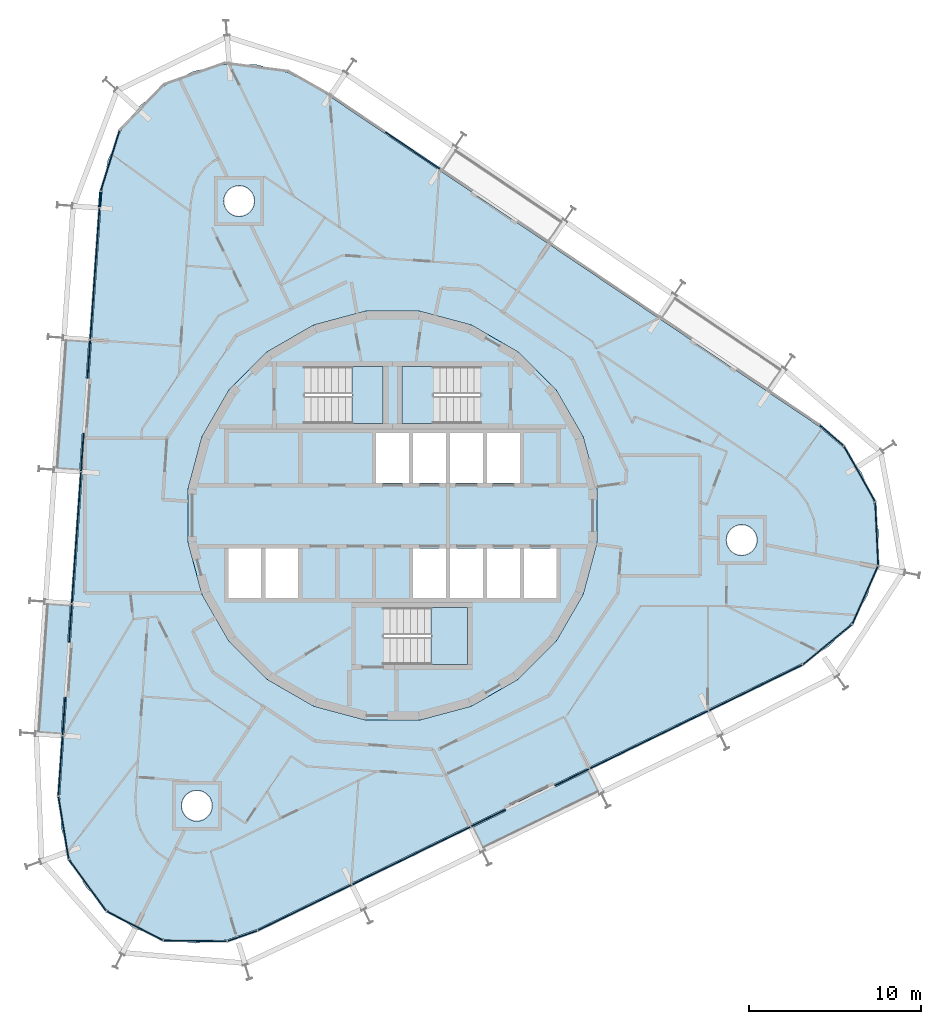
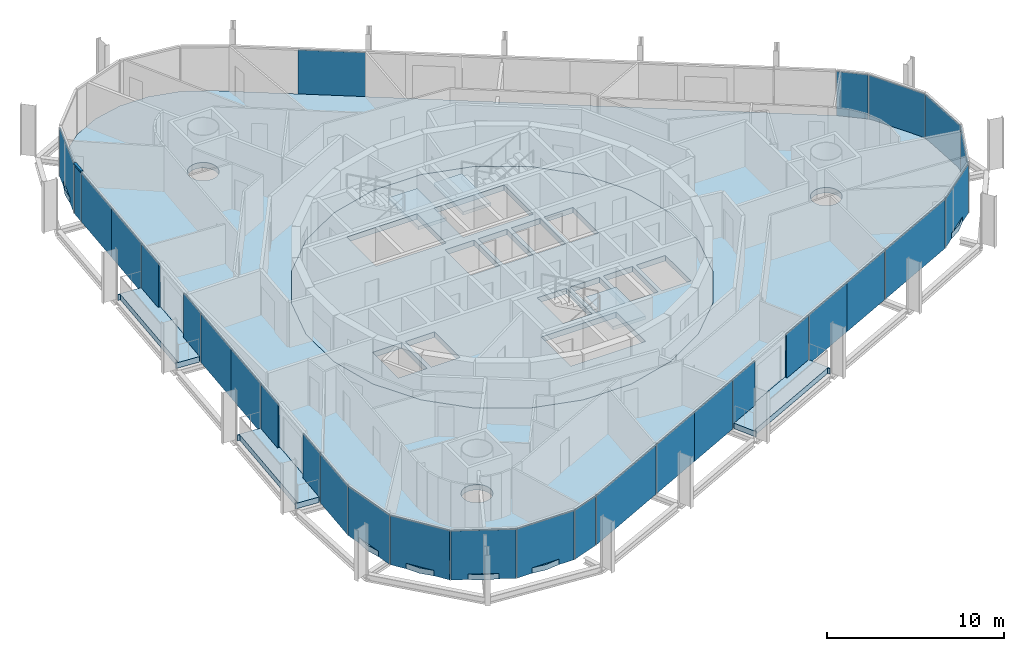
# One storey, part 10 of 17: 30 plates, 8 slabs, 1 member, 9 elements without a shape of their own.
"""IFC4 building model written with IfcOpenShell, lengths in metres."""

from ifc_helpers import new_model, si_unit, direction, frame, origin, origin_2d, place, context, subcontext, project, spatial, polyline, rectangle, outline, extrude, material, layer, layer_set, material_profile, profile_set, type_object, element, aggregate, save


model = new_model("IFC4")

# Units and contexts
model_context = context("Model", 3, precision=1e-05, world=origin(), true_north=direction((0.0, 1.0)))
body_context = subcontext(model_context, "Body", "Model", "MODEL_VIEW")
ifc_project = project(units=[si_unit("LENGTHUNIT", "METRE"), si_unit("AREAUNIT", "SQUARE_METRE"), si_unit("VOLUMEUNIT", "CUBIC_METRE"), si_unit("PLANEANGLEUNIT", "RADIAN"), si_unit("MASSUNIT", "GRAM", prefix="KILO")], contexts=[model_context])

# Site, building, storey
site_placement = place(None, origin())
site = spatial("IfcSite", under=ifc_project, at=site_placement, CompositionType="ELEMENT")
building_placement = place(site_placement, origin())
building = spatial("IfcBuilding", under=site, at=building_placement, Name="Spindle Arch Residences", CompositionType="ELEMENT")
storey_placement = place(building_placement, frame((0.0, 0.0, 191.89990234375)))
storey = spatial("IfcBuildingStorey", under=building, at=storey_placement, Name="L48", CompositionType="ELEMENT", Elevation=191.89990234375)

# Curtain wall, member
ifc_material_1 = material(Name="Aluminium bronze unitised frame with tinted glass", Category="aluminium")
ifc_layer_1 = layer(ifc_material_1, 0.159912109375)
ifc_layer_set_1 = layer_set([ifc_layer_1], Name="CW-D corner wall on the fillet arcs")
curtain_wall_type_1 = type_object("IfcCurtainWallType", Name="CW-D corner wall on the fillet arcs", PredefinedType="NOTDEFINED", material=ifc_layer_set_1)
curtain_wall_1_placement = place(storey_placement, origin())
curtain_wall_1 = element("IfcCurtainWall", 1, at=curtain_wall_1_placement, inside=storey, type_object=curtain_wall_type_1, Name="CW-D L48 run 3", PredefinedType="NOTDEFINED")
ifc_material_2 = material(Name="Aluminium bronze anodised transom", Category="aluminium")
ifc_material_profile = material_profile(ifc_material_2, rectangle(XDim=0.159912109375, YDim=0.1201171875, at=origin_2d()), Name="TR 120x160")
ifc_profile_set = profile_set([ifc_material_profile], Name="Aluminium bronze anodised transom")
member_type = type_object("IfcMemberType", Name="Bronze transom 120x160", PredefinedType="USERDEFINED", material=ifc_profile_set)
member_placement = place(storey_placement, frame((-16.98828125, 18.83447265625, 3.06005859375), z_axis=(-0.069692035463, -0.997568554132, 0.0), x_axis=(0.997568554132, -0.069692035463, 0.0)))
member = element("IfcMember", 2, at=member_placement, type_object=member_type, Name="CW-D transom 05", ObjectType="TRANSOM", PredefinedType="USERDEFINED", context=body_context, shape_type="SweptSolid", body=[
    extrude(rectangle(XDim=0.159912109375, YDim=0.1201171875, at=origin_2d()), origin(), (0.0, 0.0, 1.0), 0.90380859375),
])

# Slabs
ifc_material_3 = material(Name="Concrete C40/50", Category="concrete")
ifc_layer_2 = layer(ifc_material_3, 0.3798828125)
ifc_layer_set_2 = layer_set([ifc_layer_2], Name="Balcony slab 380")
slab_type_1 = type_object("IfcSlabType", Name="Balcony slab 380", PredefinedType="FLOOR", material=ifc_layer_set_2)
slab_1_placement = place(storey_placement, frame((0.0, 0.0, -0.3798828125)))
element("IfcSlab", 3, at=slab_1_placement, inside=storey, type_object=slab_type_1, Name="Balcony L48 bay 14", PredefinedType="FLOOR", context=body_context, shape_type="SweptSolid", body=[
    extrude(outline(polyline([(-19.16162109375, 10.2626953125), (-19.166748046875, 10.187744140625), (-19.01708984375, 10.17724609375), (-19.532958984375, 2.8017578125), (-19.6826171875, 2.81201171875), (-19.687744140625, 2.7373046875), (-18.201416015625, 2.63330078125), (-18.0498046875, 4.800048828125), (-17.890380859375, 4.788818359375), (-17.6669921875, 7.98095703125), (-17.82666015625, 7.9921875), (-17.67529296875, 10.15869140625), (-19.16162109375, 10.2626953125)])), origin(), (0.0, 0.0, 1.0), 0.3798828125),
])
slab_2_placement = place(storey_placement, frame((0.0, 0.0, -0.3798828125)))
element("IfcSlab", 4, at=slab_2_placement, inside=storey, type_object=slab_type_1, Name="Balcony L48 bay 16", PredefinedType="FLOOR", context=body_context, shape_type="SweptSolid", body=[
    extrude(outline(polyline([(-20.23486328125, -5.08740234375), (-20.240234375, -5.162109375), (-20.090576171875, -5.172607421875), (-20.606201171875, -12.54833984375), (-20.755859375, -12.537841796875), (-20.76123046875, -12.612548828125), (-19.274658203125, -12.716552734375), (-19.123291015625, -10.550048828125), (-18.963623046875, -10.561279296875), (-18.740478515625, -7.368896484375), (-18.900146484375, -7.35791015625), (-18.74853515625, -5.191162109375), (-20.23486328125, -5.08740234375)])), origin(), (0.0, 0.0, 1.0), 0.3798828125),
])
slab_3_placement = place(storey_placement, frame((0.0, 0.0, -0.3798828125)))
element("IfcSlab", 5, at=slab_3_placement, inside=storey, type_object=slab_type_1, Name="Balcony L48 bay 22", PredefinedType="FLOOR", context=body_context, shape_type="SweptSolid", body=[
    extrude(outline(polyline([(5.30322265625, -19.477294921875), (5.37060546875, -19.4443359375), (5.3046875, -19.3095703125), (11.9501953125, -16.068359375), (12.015869140625, -16.203125), (12.083251953125, -16.17041015625), (11.43017578125, -14.8310546875), (9.47802734375, -15.783203125), (9.407958984375, -15.639404296875), (6.53173828125, -17.042236328125), (6.60205078125, -17.18603515625), (4.64990234375, -18.137939453125), (5.30322265625, -19.477294921875)])), origin(), (0.0, 0.0, 1.0), 0.3798828125),
])
ifc_material_4 = material(Name="Concrete C50/60", Category="concrete")
ifc_layer_3 = layer(ifc_material_4, 0.3798828125)
ifc_layer_set_3 = layer_set([ifc_layer_3], Name="Core floor slab 380")
slab_type_2 = type_object("IfcSlabType", Name="Core floor slab 380", PredefinedType="FLOOR", material=ifc_layer_set_3)
slab_4_placement = place(storey_placement, frame((0.0, 0.0, -0.3798828125)))
element("IfcSlab", 6, at=slab_4_placement, inside=storey, type_object=slab_type_2, Name="Core floor L48", PredefinedType="FLOOR", context=body_context, shape_type="SweptSolid", body=[
    extrude(outline(polyline([(1.56640625, -11.897216796875), (4.59228515625, -11.086669921875), (7.30517578125, -9.520263671875), (9.520263671875, -7.30517578125), (11.086669921875, -4.59228515625), (11.897216796875, -1.56640625), (11.897216796875, 1.56640625), (11.086669921875, 4.59228515625), (9.520263671875, 7.30517578125), (7.30517578125, 9.520263671875), (4.59228515625, 11.086669921875), (1.56640625, 11.897216796875), (-1.56640625, 11.897216796875), (-4.59228515625, 11.086669921875), (-7.30517578125, 9.520263671875), (-9.520263671875, 7.30517578125), (-11.086669921875, 4.59228515625), (-11.897216796875, 1.56640625), (-11.897216796875, -1.56640625), (-11.086669921875, -4.59228515625), (-9.520263671875, -7.30517578125), (-7.30517578125, -9.520263671875), (-4.59228515625, -11.086669921875), (-1.56640625, -11.897216796875), (1.56640625, -11.897216796875)]), holes=[polyline([(-0.949951171875, 1.89990234375), (0.949951171875, 1.89990234375), (0.949951171875, 4.800048828125), (-0.949951171875, 4.800048828125), (-0.949951171875, 1.89990234375)]), polyline([(1.199951171875, 1.89990234375), (3.10009765625, 1.89990234375), (3.10009765625, 4.800048828125), (1.199951171875, 4.800048828125), (1.199951171875, 1.89990234375)]), polyline([(3.35009765625, 1.89990234375), (5.25, 1.89990234375), (5.25, 4.800048828125), (3.35009765625, 4.800048828125), (3.35009765625, 1.89990234375)]), polyline([(5.5, 1.89990234375), (7.39990234375, 1.89990234375), (7.39990234375, 4.800048828125), (5.5, 4.800048828125), (5.5, 1.89990234375)]), polyline([(-9.550048828125, -4.800048828125), (-7.64990234375, -4.800048828125), (-7.64990234375, -1.89990234375), (-9.550048828125, -1.89990234375), (-9.550048828125, -4.800048828125)]), polyline([(-7.39990234375, -4.800048828125), (-5.5, -4.800048828125), (-5.5, -1.89990234375), (-7.39990234375, -1.89990234375), (-7.39990234375, -4.800048828125)]), polyline([(1.199951171875, -4.800048828125), (3.10009765625, -4.800048828125), (3.10009765625, -1.89990234375), (1.199951171875, -1.89990234375), (1.199951171875, -4.800048828125)]), polyline([(3.35009765625, -4.800048828125), (5.25, -4.800048828125), (5.25, -1.89990234375), (3.35009765625, -1.89990234375), (3.35009765625, -4.800048828125)]), polyline([(5.5, -4.800048828125), (7.39990234375, -4.800048828125), (7.39990234375, -1.89990234375), (5.5, -1.89990234375), (5.5, -4.800048828125)]), polyline([(7.64990234375, -4.800048828125), (9.550048828125, -4.800048828125), (9.550048828125, -1.89990234375), (7.64990234375, -1.89990234375), (7.64990234375, -4.800048828125)]), polyline([(5.1298828125, 8.669921875), (0.550048828125, 8.669921875), (0.550048828125, 5.35009765625), (5.1298828125, 5.35009765625), (5.1298828125, 8.669921875)]), polyline([(-5.1298828125, 5.35009765625), (-0.550048828125, 5.35009765625), (-0.550048828125, 8.669921875), (-5.1298828125, 8.669921875), (-5.1298828125, 5.35009765625)]), polyline([(-0.530029296875, -8.669921875), (4.35009765625, -8.669921875), (4.35009765625, -5.35009765625), (-0.530029296875, -5.35009765625), (-0.530029296875, -8.669921875)])]), origin(), (0.0, 0.0, 1.0), 0.3798828125),
])

# Stair, slab
ifc_material_5 = material(Name="Concrete C50/60", Category="concrete")
stair_type = type_object("IfcStairType", Name="Exit stair 16 risers", PredefinedType="HALF_TURN_STAIR", material=ifc_material_5)
stair_1_placement = place(storey_placement, origin())
stair_1 = element("IfcStair", 7, at=stair_1_placement, inside=storey, type_object=stair_type, Name="L48 Exit stair ST1", PredefinedType="HALF_TURN_STAIR")
ifc_material_6 = material(Name="Concrete C50/60", Category="concrete")
ifc_layer_4 = layer(ifc_material_6, 0.219970703125)
ifc_layer_set_4 = layer_set([ifc_layer_4], Name="Exit stair landing 220")
slab_type_3 = type_object("IfcSlabType", Name="Exit stair landing 220", PredefinedType="LANDING", material=ifc_layer_set_4)
slab_5_placement = place(storey_placement, frame((0.0, 0.0, 1.530029296875)))
slab_5 = element("IfcSlab", 8, at=slab_5_placement, type_object=slab_type_3, Name="ST1 landing 1", PredefinedType="LANDING", context=body_context, shape_type="SweptSolid", body=[
    extrude(outline(polyline([(2.3701171875, 8.669921875), (0.550048828125, 8.669921875), (0.550048828125, 5.35009765625), (2.3701171875, 5.35009765625), (2.3701171875, 8.669921875)])), origin(), (0.0, 0.0, 1.0), 0.219970703125),
])
aggregate(stair_1, [slab_5])

stair_2_placement = place(storey_placement, origin())
stair_2 = element("IfcStair", 9, at=stair_2_placement, inside=storey, type_object=stair_type, Name="L48 Exit stair ST2", PredefinedType="HALF_TURN_STAIR")
slab_6_placement = place(storey_placement, frame((0.0, 0.0, 1.530029296875)))
slab_6 = element("IfcSlab", 10, at=slab_6_placement, type_object=slab_type_3, Name="ST2 landing 1", PredefinedType="LANDING", context=body_context, shape_type="SweptSolid", body=[
    extrude(outline(polyline([(-2.3701171875, 5.35009765625), (-0.550048828125, 5.35009765625), (-0.550048828125, 8.669921875), (-2.3701171875, 8.669921875), (-2.3701171875, 5.35009765625)])), origin(), (0.0, 0.0, 1.0), 0.219970703125),
])
aggregate(stair_2, [slab_6])

stair_3_placement = place(storey_placement, origin())
stair_3 = element("IfcStair", 11, at=stair_3_placement, inside=storey, type_object=stair_type, Name="L48 Exit stair ST3", PredefinedType="HALF_TURN_STAIR")
slab_7_placement = place(storey_placement, frame((0.0, 0.0, 1.530029296875)))
slab_7 = element("IfcSlab", 12, at=slab_7_placement, type_object=slab_type_3, Name="ST3 landing 1", PredefinedType="LANDING", context=body_context, shape_type="SweptSolid", body=[
    extrude(outline(polyline([(2.22998046875, -8.669921875), (4.35009765625, -8.669921875), (4.35009765625, -5.35009765625), (2.22998046875, -5.35009765625), (2.22998046875, -8.669921875)])), origin(), (0.0, 0.0, 1.0), 0.219970703125),
])
aggregate(stair_3, [slab_7])

# Slab
ifc_material_7 = material(Name="Concrete C40/50", Category="concrete")
ifc_layer_5 = layer(ifc_material_7, 0.3798828125)
ifc_layer_set_5 = layer_set([ifc_layer_5], Name="Floor slab 380")
slab_type_4 = type_object("IfcSlabType", Name="Floor slab 380", PredefinedType="FLOOR", material=ifc_layer_set_5)
slab_8_placement = place(storey_placement, frame((0.0, 0.0, -0.3798828125)))
element("IfcSlab", 13, at=slab_8_placement, inside=storey, type_object=slab_type_4, Name="Floor slab L48", PredefinedType="FLOOR", context=body_context, shape_type="SweptSolid", body=[
    extrude(outline(polyline([(-9.6318359375, -24.685791015625), (-11.47900390625, -24.8798828125), (-13.3212890625, -24.642822265625), (-15.059326171875, -23.9873046875), (-16.599365234375, -22.948486328125), (-17.858154296875, -21.582763671875), (-18.76806640625, -19.96337890625), (-19.280029296875, -18.177978515625), (-19.366455078125, -16.322509765625), (-16.906494140625, 18.85888671875), (-16.5625, 20.684326171875), (-15.80712890625, 22.381103515625), (-14.6806640625, 23.858154296875), (-13.243896484375, 25.035400390625), (-11.574462890625, 25.849609375), (-9.76220703125, 26.257080078125), (-7.90478515625, 26.2353515625), (-6.1025390625, 25.785888671875), (-4.452392578125, 24.93310546875), (24.785400390625, 5.2119140625), (26.1943359375, 4.00146484375), (27.2861328125, 2.498779296875), (28.001953125, 0.784912109375), (28.30322265625, -1.048095703125), (28.173583984375, -2.901123046875), (27.620361328125, -4.67431640625), (26.6728515625, -6.27197265625), (25.382568359375, -7.608154296875), (23.81884765625, -8.610595703125), (7.969970703125, -16.3408203125), (-7.87890625, -24.07080078125), (-9.6318359375, -24.685791015625)]), holes=[polyline([(7.30517578125, -9.520263671875), (9.520263671875, -7.30517578125), (11.086669921875, -4.59228515625), (11.897216796875, -1.56640625), (11.897216796875, 1.56640625), (11.086669921875, 4.59228515625), (9.520263671875, 7.30517578125), (7.30517578125, 9.520263671875), (4.59228515625, 11.086669921875), (1.56640625, 11.897216796875), (-1.56640625, 11.897216796875), (-4.59228515625, 11.086669921875), (-7.30517578125, 9.520263671875), (-9.520263671875, 7.30517578125), (-11.086669921875, 4.59228515625), (-11.897216796875, 1.56640625), (-11.897216796875, -1.56640625), (-11.086669921875, -4.59228515625), (-9.520263671875, -7.30517578125), (-7.30517578125, -9.520263671875), (-4.59228515625, -11.086669921875), (-1.56640625, -11.897216796875), (1.56640625, -11.897216796875), (4.59228515625, -11.086669921875), (7.30517578125, -9.520263671875)]), polyline([(-10.6376953125, -17.380615234375), (-10.554443359375, -17.224853515625), (-10.50341796875, -17.05615234375), (-10.486083984375, -16.880615234375), (-10.50341796875, -16.704833984375), (-10.554443359375, -16.5361328125), (-10.6376953125, -16.380615234375), (-10.74951171875, -16.244140625), (-10.885986328125, -16.132080078125), (-11.04150390625, -16.049072265625), (-11.21044921875, -15.997802734375), (-11.385986328125, -15.98046875), (-11.5615234375, -15.997802734375), (-11.73046875, -16.049072265625), (-11.885986328125, -16.132080078125), (-12.0224609375, -16.244140625), (-12.13427734375, -16.380615234375), (-12.217529296875, -16.5361328125), (-12.268798828125, -16.704833984375), (-12.285888671875, -16.880615234375), (-12.268798828125, -17.05615234375), (-12.217529296875, -17.224853515625), (-12.13427734375, -17.380615234375), (-12.0224609375, -17.516845703125), (-11.885986328125, -17.62890625), (-11.73046875, -17.7119140625), (-11.5615234375, -17.76318359375), (-11.385986328125, -17.780517578125), (-11.21044921875, -17.76318359375), (-11.04150390625, -17.7119140625), (-10.885986328125, -17.62890625), (-10.74951171875, -17.516845703125), (-10.6376953125, -17.380615234375)]), polyline([(-8.177490234375, 17.80078125), (-8.094482421875, 17.956298828125), (-8.043212890625, 18.125244140625), (-8.02587890625, 18.30078125), (-8.043212890625, 18.476318359375), (-8.094482421875, 18.645263671875), (-8.177490234375, 18.80078125), (-8.28955078125, 18.937255859375), (-8.42578125, 19.049072265625), (-8.58154296875, 19.13232421875), (-8.750244140625, 19.18359375), (-8.92578125, 19.20068359375), (-9.1015625, 19.18359375), (-9.270263671875, 19.13232421875), (-9.42578125, 19.049072265625), (-9.562255859375, 18.937255859375), (-9.67431640625, 18.80078125), (-9.75732421875, 18.645263671875), (-9.80859375, 18.476318359375), (-9.825927734375, 18.30078125), (-9.80859375, 18.125244140625), (-9.75732421875, 17.956298828125), (-9.67431640625, 17.80078125), (-9.562255859375, 17.664306640625), (-9.42578125, 17.552490234375), (-9.270263671875, 17.46923828125), (-9.1015625, 17.418212890625), (-8.92578125, 17.40087890625), (-8.750244140625, 17.418212890625), (-8.58154296875, 17.46923828125), (-8.42578125, 17.552490234375), (-8.28955078125, 17.664306640625), (-8.177490234375, 17.80078125)]), polyline([(20.9482421875, -2.056640625), (21.060302734375, -1.92041015625), (21.143310546875, -1.7646484375), (21.194580078125, -1.595947265625), (21.2119140625, -1.42041015625), (21.194580078125, -1.24462890625), (21.143310546875, -1.075927734375), (21.060302734375, -0.92041015625), (20.9482421875, -0.783935546875), (20.81201171875, -0.672119140625), (20.65625, -0.5888671875), (20.487548828125, -0.53759765625), (20.31201171875, -0.520263671875), (20.13623046875, -0.53759765625), (19.967529296875, -0.5888671875), (19.81201171875, -0.672119140625), (19.675537109375, -0.783935546875), (19.563720703125, -0.92041015625), (19.48046875, -1.075927734375), (19.42919921875, -1.24462890625), (19.411865234375, -1.42041015625), (19.42919921875, -1.595947265625), (19.48046875, -1.7646484375), (19.563720703125, -1.92041015625), (19.675537109375, -2.056640625), (19.81201171875, -2.168701171875), (19.967529296875, -2.251708984375), (20.13623046875, -2.302978515625), (20.31201171875, -2.3203125), (20.487548828125, -2.302978515625), (20.65625, -2.251708984375), (20.81201171875, -2.168701171875), (20.9482421875, -2.056640625)])]), origin(), (0.0, 0.0, 1.0), 0.3798828125),
])

# Curtain wall, plates
curtain_wall_2_placement = place(storey_placement, origin())
curtain_wall_2 = element("IfcCurtainWall", 14, at=curtain_wall_2_placement, inside=storey, type_object=curtain_wall_type_1, Name="CW-D L48 run 1", PredefinedType="NOTDEFINED")
ifc_material_8 = material(Name="Tinted double glazing over non-combustible spandrel zone with 0.55 mm stainless steel cavity fire stop (K0)", Category="steel")
ifc_layer_6 = layer(ifc_material_8, 0.070068359375)
ifc_layer_set_6 = layer_set([ifc_layer_6], Name="Unitised glass panel with spandrel zone and stainless cavity fire stop")
plate_type = type_object("IfcPlateType", Name="Unitised glass panel with spandrel zone and stainless cavity fire stop", PredefinedType="CURTAIN_PANEL", material=ifc_layer_set_6)
plate_1_placement = place(storey_placement, frame((21.11572265625, -10.01806640625, -0.3798828125), z_axis=(0.0, 0.0, 1.0), x_axis=(0.898794046299, 0.438371146789, 0.0)))
plate_1 = element("IfcPlate", 15, at=plate_1_placement, type_object=plate_type, Name="CW-D unit 00", PredefinedType="CURTAIN_PANEL", context=body_context, shape_type="SweptSolid", body=[
    extrude(rectangle(XDim=6.032958984375, YDim=0.070068359375, at=origin_2d()), origin(), (0.0, 0.0, 1.0), 3.3798828125),
])
plate_2_placement = place(storey_placement, frame((25.295166015625, -7.50146484375, -0.3798828125), z_axis=(0.0, 0.0, 1.0), x_axis=(0.773471595747, 0.633830963722, 0.0)))
plate_2 = element("IfcPlate", 16, at=plate_2_placement, type_object=plate_type, Name="CW-D unit 01", PredefinedType="CURTAIN_PANEL", context=body_context, shape_type="SweptSolid", body=[
    extrude(rectangle(XDim=3.666748046875, YDim=0.070068359375, at=origin_2d()), origin(), (0.0, 0.0, 1.0), 3.3798828125),
])
plate_3_placement = place(storey_placement, frame((27.494384765625, -4.6181640625, -0.3798828125), z_axis=(0.0, 0.0, 1.0), x_axis=(0.406736642422, 0.913545457934, 0.0)))
plate_3 = element("IfcPlate", 17, at=plate_3_placement, type_object=plate_type, Name="CW-D unit 02", PredefinedType="CURTAIN_PANEL", context=body_context, shape_type="SweptSolid", body=[
    extrude(rectangle(XDim=3.666748046875, YDim=0.070068359375, at=origin_2d()), origin(), (0.0, 0.0, 1.0), 3.3798828125),
])
plate_4_placement = place(storey_placement, frame((28.16552734375, -1.054443359375, -0.3798828125), z_axis=(0.0, 0.0, 1.0), x_axis=(-0.046525313877, 0.99891711126, 0.0)))
plate_4 = element("IfcPlate", 18, at=plate_4_placement, type_object=plate_type, Name="CW-D unit 03", PredefinedType="CURTAIN_PANEL", context=body_context, shape_type="SweptSolid", body=[
    extrude(rectangle(XDim=3.666748046875, YDim=0.070068359375, at=origin_2d()), origin(), (0.0, 0.0, 1.0), 3.3798828125),
])
plate_5_placement = place(storey_placement, frame((27.166015625, 2.43115234375, -0.3798828125), z_axis=(0.0, 0.0, 1.0), x_axis=(-0.489889716377, 0.871784414743, 0.0)))
plate_5 = element("IfcPlate", 19, at=plate_5_placement, type_object=plate_type, Name="CW-D unit 04", PredefinedType="CURTAIN_PANEL", context=body_context, shape_type="SweptSolid", body=[
    extrude(rectangle(XDim=3.666748046875, YDim=0.070068359375, at=origin_2d()), origin(), (0.0, 0.0, 1.0), 3.3798828125),
])
plate_6_placement = place(storey_placement, frame((25.541748046875, 4.6669921875, -0.3798828125), z_axis=(0.0, 0.0, 1.0), x_axis=(-0.758513582867, 0.651657229382, 0.0)))
plate_6 = element("IfcPlate", 20, at=plate_6_placement, type_object=plate_type, Name="CW-D unit 05", PredefinedType="CURTAIN_PANEL", context=body_context, shape_type="SweptSolid", body=[
    extrude(rectangle(XDim=1.816162109375, YDim=0.070068359375, at=origin_2d()), origin(), (0.0, 0.0, 1.0), 3.3798828125),
])
aggregate(curtain_wall_2, [plate_1, plate_2, plate_3, plate_4, plate_5, plate_6])

# Curtain wall, plate
ifc_material_9 = material(Name="Aluminium bronze unitised frame with tinted glass", Category="aluminium")
ifc_layer_7 = layer(ifc_material_9, 0.159912109375)
ifc_layer_set_7 = layer_set([ifc_layer_7], Name="CW-C typical residential unitised wall")
curtain_wall_type_2 = type_object("IfcCurtainWallType", Name="CW-C typical residential unitised wall", PredefinedType="NOTDEFINED", material=ifc_layer_set_7)
curtain_wall_3_placement = place(storey_placement, origin())
curtain_wall_3 = element("IfcCurtainWall", 21, at=curtain_wall_3_placement, inside=storey, type_object=curtain_wall_type_2, Name="CW-C L48 run 2", PredefinedType="NOTDEFINED")
plate_7_placement = place(storey_placement, frame((1.162841796875, 21.2421875, -0.3798828125), z_axis=(0.0, 0.0, 1.0), x_axis=(-0.829037572555, 0.559192903471, 0.0)))
plate_7 = element("IfcPlate", 22, at=plate_7_placement, type_object=plate_type, Name="CW-C unit 08A", PredefinedType="CURTAIN_PANEL", context=body_context, shape_type="SweptSolid", body=[
    extrude(rectangle(XDim=3.81689453125, YDim=0.070068359375, at=origin_2d()), origin(), (0.0, 0.0, 1.0), 3.3798828125),
])
aggregate(curtain_wall_3, [plate_7])

# Plate
plate_8_placement = place(storey_placement, frame((-16.43115234375, 20.643310546875, -0.3798828125), z_axis=(0.0, 0.0, 1.0), x_axis=(-0.297930275218, -0.954587634064, 0.0)))
plate_8 = element("IfcPlate", 23, at=plate_8_placement, type_object=plate_type, Name="CW-D unit 04", PredefinedType="CURTAIN_PANEL", context=body_context, shape_type="SweptSolid", body=[
    extrude(rectangle(XDim=3.666748046875, YDim=0.070068359375, at=origin_2d()), origin(), (0.0, 0.0, 1.0), 3.3798828125),
])

plate_9_placement = place(storey_placement, frame((-17.019775390625, 18.3837890625, -0.3798828125), z_axis=(0.0, 0.0, 1.0), x_axis=(-0.069756473744, -0.99756405026, 0.0)))
plate_9 = element("IfcPlate", 24, at=plate_9_placement, type_object=plate_type, Name="CW-D unit 05", PredefinedType="CURTAIN_PANEL", context=body_context, shape_type="SweptSolid", body=[
    extrude(rectangle(XDim=0.90380859375, YDim=0.070068359375, at=origin_2d()), origin(), (0.0, 0.0, 1.0), 3.3798828125),
])

aggregate(curtain_wall_1, [plate_8, member, plate_9])

# Curtain wall, plates
curtain_wall_4_placement = place(storey_placement, origin())
curtain_wall_4 = element("IfcCurtainWall", 25, at=curtain_wall_4_placement, inside=storey, type_object=curtain_wall_type_2, Name="CW-C L48 run 4", PredefinedType="NOTDEFINED")
plate_10_placement = place(storey_placement, frame((-17.188720703125, 15.96923828125, -0.3798828125), z_axis=(0.0, 0.0, 1.0), x_axis=(-0.069756473744, -0.99756405026, 0.0)))
plate_10 = element("IfcPlate", 26, at=plate_10_placement, type_object=plate_type, Name="CW-C unit 12A", PredefinedType="CURTAIN_PANEL", context=body_context, shape_type="SweptSolid", body=[
    extrude(rectangle(XDim=3.81689453125, YDim=0.070068359375, at=origin_2d()), origin(), (0.0, 0.0, 1.0), 3.3798828125),
])
plate_11_placement = place(storey_placement, frame((-17.454833984375, 12.16162109375, -0.3798828125), z_axis=(0.0, 0.0, 1.0), x_axis=(-0.069756473744, -0.99756405026, 0.0)))
plate_11 = element("IfcPlate", 27, at=plate_11_placement, type_object=plate_type, Name="CW-C unit 12B", PredefinedType="CURTAIN_PANEL", context=body_context, shape_type="SweptSolid", body=[
    extrude(rectangle(XDim=3.81689453125, YDim=0.070068359375, at=origin_2d()), origin(), (0.0, 0.0, 1.0), 3.3798828125),
])
plate_12_placement = place(storey_placement, frame((-17.669677734375, 9.09228515625, -0.3798828125), z_axis=(0.0, 0.0, 1.0), x_axis=(-0.069756473744, -0.99756405026, 0.0)))
plate_12 = element("IfcPlate", 28, at=plate_12_placement, type_object=plate_type, Name="CW-C unit 13L", PredefinedType="CURTAIN_PANEL", context=body_context, shape_type="SweptSolid", body=[
    extrude(rectangle(XDim=2.216796875, YDim=0.070068359375, at=origin_2d()), origin(), (0.0, 0.0, 1.0), 3.3798828125),
])
plate_13_placement = place(storey_placement, frame((-18.04736328125, 3.688720703125, -0.3798828125), z_axis=(0.0, 0.0, 1.0), x_axis=(-0.069756473744, -0.99756405026, 0.0)))
plate_13 = element("IfcPlate", 29, at=plate_13_placement, type_object=plate_type, Name="CW-C unit 13R", PredefinedType="CURTAIN_PANEL", context=body_context, shape_type="SweptSolid", body=[
    extrude(rectangle(XDim=2.216796875, YDim=0.070068359375, at=origin_2d()), origin(), (0.0, 0.0, 1.0), 3.3798828125),
])
plate_14_placement = place(storey_placement, frame((-18.261962890625, 0.619140625, -0.3798828125), z_axis=(0.0, 0.0, 1.0), x_axis=(-0.069756473744, -0.99756405026, 0.0)))
plate_14 = element("IfcPlate", 30, at=plate_14_placement, type_object=plate_type, Name="CW-C unit 14A", PredefinedType="CURTAIN_PANEL", context=body_context, shape_type="SweptSolid", body=[
    extrude(rectangle(XDim=3.81689453125, YDim=0.070068359375, at=origin_2d()), origin(), (0.0, 0.0, 1.0), 3.3798828125),
])
plate_15_placement = place(storey_placement, frame((-18.5283203125, -3.188232421875, -0.3798828125), z_axis=(0.0, 0.0, 1.0), x_axis=(-0.069756473744, -0.99756405026, 0.0)))
plate_15 = element("IfcPlate", 31, at=plate_15_placement, type_object=plate_type, Name="CW-C unit 14B", PredefinedType="CURTAIN_PANEL", context=body_context, shape_type="SweptSolid", body=[
    extrude(rectangle(XDim=3.81689453125, YDim=0.070068359375, at=origin_2d()), origin(), (0.0, 0.0, 1.0), 3.3798828125),
])
plate_16_placement = place(storey_placement, frame((-18.742919921875, -6.257568359375, -0.3798828125), z_axis=(0.0, 0.0, 1.0), x_axis=(-0.069756473744, -0.99756405026, 0.0)))
plate_16 = element("IfcPlate", 32, at=plate_16_placement, type_object=plate_type, Name="CW-C unit 15L", PredefinedType="CURTAIN_PANEL", context=body_context, shape_type="SweptSolid", body=[
    extrude(rectangle(XDim=2.216796875, YDim=0.070068359375, at=origin_2d()), origin(), (0.0, 0.0, 1.0), 3.3798828125),
])
plate_17_placement = place(storey_placement, frame((-19.120849609375, -11.661376953125, -0.3798828125), z_axis=(0.0, 0.0, 1.0), x_axis=(-0.069756473744, -0.99756405026, 0.0)))
plate_17 = element("IfcPlate", 33, at=plate_17_placement, type_object=plate_type, Name="CW-C unit 15R", PredefinedType="CURTAIN_PANEL", context=body_context, shape_type="SweptSolid", body=[
    extrude(rectangle(XDim=2.216796875, YDim=0.070068359375, at=origin_2d()), origin(), (0.0, 0.0, 1.0), 3.3798828125),
])
aggregate(curtain_wall_4, [plate_10, plate_11, plate_12, plate_13, plate_14, plate_15, plate_16, plate_17])

curtain_wall_5_placement = place(storey_placement, origin())
curtain_wall_5 = element("IfcCurtainWall", 34, at=curtain_wall_5_placement, inside=storey, type_object=curtain_wall_type_1, Name="CW-D L48 run 5", PredefinedType="NOTDEFINED")
plate_18_placement = place(storey_placement, frame((-19.3232421875, -14.556884765625, -0.3798828125), z_axis=(0.0, 0.0, 1.0), x_axis=(-0.069756473744, -0.99756405026, 0.0)))
plate_18 = element("IfcPlate", 35, at=plate_18_placement, type_object=plate_type, Name="CW-D unit 00", PredefinedType="CURTAIN_PANEL", context=body_context, shape_type="SweptSolid", body=[
    extrude(rectangle(XDim=3.468505859375, YDim=0.070068359375, at=origin_2d()), origin(), (0.0, 0.0, 1.0), 3.3798828125),
])
plate_19_placement = place(storey_placement, frame((-19.14404296875, -18.155517578125, -0.3798828125), z_axis=(0.0, 0.0, 1.0), x_axis=(0.162177925821, -0.986761531666, 0.0)))
plate_19 = element("IfcPlate", 36, at=plate_19_placement, type_object=plate_type, Name="CW-D unit 01", PredefinedType="CURTAIN_PANEL", context=body_context, shape_type="SweptSolid", body=[
    extrude(rectangle(XDim=3.666748046875, YDim=0.070068359375, at=origin_2d()), origin(), (0.0, 0.0, 1.0), 3.3798828125),
])
plate_20_placement = place(storey_placement, frame((-17.74658203125, -21.501708984375, -0.3798828125), z_axis=(0.0, 0.0, 1.0), x_axis=(0.587785254679, -0.809016992641, 0.0)))
plate_20 = element("IfcPlate", 37, at=plate_20_placement, type_object=plate_type, Name="CW-D unit 02", PredefinedType="CURTAIN_PANEL", context=body_context, shape_type="SweptSolid", body=[
    extrude(rectangle(XDim=3.666748046875, YDim=0.070068359375, at=origin_2d()), origin(), (0.0, 0.0, 1.0), 3.3798828125),
])
plate_21_placement = place(storey_placement, frame((-14.99609375, -23.86474609375, -0.3798828125), z_axis=(0.0, 0.0, 1.0), x_axis=(0.88835025098, -0.459166453025, 0.0)))
plate_21 = element("IfcPlate", 38, at=plate_21_placement, type_object=plate_type, Name="CW-D unit 03", PredefinedType="CURTAIN_PANEL", context=body_context, shape_type="SweptSolid", body=[
    extrude(rectangle(XDim=3.666748046875, YDim=0.070068359375, at=origin_2d()), origin(), (0.0, 0.0, 1.0), 3.3798828125),
])
plate_22_placement = place(storey_placement, frame((-11.4775390625, -24.7421875, -0.3798828125), z_axis=(0.0, 0.0, 1.0), x_axis=(0.999932308032, -0.011635263346, 0.0)))
plate_22 = element("IfcPlate", 39, at=plate_22_placement, type_object=plate_type, Name="CW-D unit 04", PredefinedType="CURTAIN_PANEL", context=body_context, shape_type="SweptSolid", body=[
    extrude(rectangle(XDim=3.666748046875, YDim=0.070068359375, at=origin_2d()), origin(), (0.0, 0.0, 1.0), 3.3798828125),
])
plate_23_placement = place(storey_placement, frame((-8.72900390625, -24.453369140625, -0.3798828125), z_axis=(0.0, 0.0, 1.0), x_axis=(0.943608504957, 0.33106342198, 0.0)))
plate_23 = element("IfcPlate", 40, at=plate_23_placement, type_object=plate_type, Name="CW-D unit 05", PredefinedType="CURTAIN_PANEL", context=body_context, shape_type="SweptSolid", body=[
    extrude(rectangle(XDim=1.816162109375, YDim=0.070068359375, at=origin_2d()), origin(), (0.0, 0.0, 1.0), 3.3798828125),
])
plate_24_placement = place(storey_placement, frame((-5.105712890625, -22.80712890625, -0.3798828125), z_axis=(0.0, 0.0, 1.0), x_axis=(0.898794046299, 0.438371146789, 0.0)))
plate_24 = element("IfcPlate", 41, at=plate_24_placement, type_object=plate_type, Name="CW-D unit 06", PredefinedType="CURTAIN_PANEL", context=body_context, shape_type="SweptSolid", body=[
    extrude(rectangle(XDim=6.032958984375, YDim=0.070068359375, at=origin_2d()), origin(), (0.0, 0.0, 1.0), 3.3798828125),
])
aggregate(curtain_wall_5, [plate_18, plate_19, plate_20, plate_21, plate_22, plate_23, plate_24])

curtain_wall_6_placement = place(storey_placement, origin())
curtain_wall_6 = element("IfcCurtainWall", 42, at=curtain_wall_6_placement, inside=storey, type_object=curtain_wall_type_2, Name="CW-C L48 run 6", PredefinedType="NOTDEFINED")
plate_25_placement = place(storey_placement, frame((-0.625244140625, -20.6220703125, -0.3798828125), z_axis=(0.0, 0.0, 1.0), x_axis=(0.898794046299, 0.438371146789, 0.0)))
plate_25 = element("IfcPlate", 43, at=plate_25_placement, type_object=plate_type, Name="CW-C unit 20A", PredefinedType="CURTAIN_PANEL", context=body_context, shape_type="SweptSolid", body=[
    extrude(rectangle(XDim=3.81689453125, YDim=0.070068359375, at=origin_2d()), origin(), (0.0, 0.0, 1.0), 3.3798828125),
])
plate_26_placement = place(storey_placement, frame((2.80517578125, -18.94873046875, -0.3798828125), z_axis=(0.0, 0.0, 1.0), x_axis=(0.898794046299, 0.438371146789, 0.0)))
plate_26 = element("IfcPlate", 44, at=plate_26_placement, type_object=plate_type, Name="CW-C unit 20B", PredefinedType="CURTAIN_PANEL", context=body_context, shape_type="SweptSolid", body=[
    extrude(rectangle(XDim=3.81689453125, YDim=0.070068359375, at=origin_2d()), origin(), (0.0, 0.0, 1.0), 3.3798828125),
])
plate_27_placement = place(storey_placement, frame((5.570556640625, -17.599853515625, -0.3798828125), z_axis=(0.0, 0.0, 1.0), x_axis=(0.898794046299, 0.438371146789, 0.0)))
plate_27 = element("IfcPlate", 45, at=plate_27_placement, type_object=plate_type, Name="CW-C unit 21L", PredefinedType="CURTAIN_PANEL", context=body_context, shape_type="SweptSolid", body=[
    extrude(rectangle(XDim=2.216796875, YDim=0.070068359375, at=origin_2d()), origin(), (0.0, 0.0, 1.0), 3.3798828125),
])
plate_28_placement = place(storey_placement, frame((10.439208984375, -15.225341796875, -0.3798828125), z_axis=(0.0, 0.0, 1.0), x_axis=(0.898794046299, 0.438371146789, 0.0)))
plate_28 = element("IfcPlate", 46, at=plate_28_placement, type_object=plate_type, Name="CW-C unit 21R", PredefinedType="CURTAIN_PANEL", context=body_context, shape_type="SweptSolid", body=[
    extrude(rectangle(XDim=2.216796875, YDim=0.070068359375, at=origin_2d()), origin(), (0.0, 0.0, 1.0), 3.3798828125),
])
plate_29_placement = place(storey_placement, frame((13.204833984375, -13.87646484375, -0.3798828125), z_axis=(0.0, 0.0, 1.0), x_axis=(0.898794046299, 0.438371146789, 0.0)))
plate_29 = element("IfcPlate", 47, at=plate_29_placement, type_object=plate_type, Name="CW-C unit 00A", PredefinedType="CURTAIN_PANEL", context=body_context, shape_type="SweptSolid", body=[
    extrude(rectangle(XDim=3.81689453125, YDim=0.070068359375, at=origin_2d()), origin(), (0.0, 0.0, 1.0), 3.3798828125),
])
plate_30_placement = place(storey_placement, frame((16.63525390625, -12.203369140625, -0.3798828125), z_axis=(0.0, 0.0, 1.0), x_axis=(0.898794046299, 0.438371146789, 0.0)))
plate_30 = element("IfcPlate", 48, at=plate_30_placement, type_object=plate_type, Name="CW-C unit 00B", PredefinedType="CURTAIN_PANEL", context=body_context, shape_type="SweptSolid", body=[
    extrude(rectangle(XDim=3.81689453125, YDim=0.070068359375, at=origin_2d()), origin(), (0.0, 0.0, 1.0), 3.3798828125),
])
aggregate(curtain_wall_6, [plate_25, plate_26, plate_27, plate_28, plate_29, plate_30])

save(model, "model.ifc")
